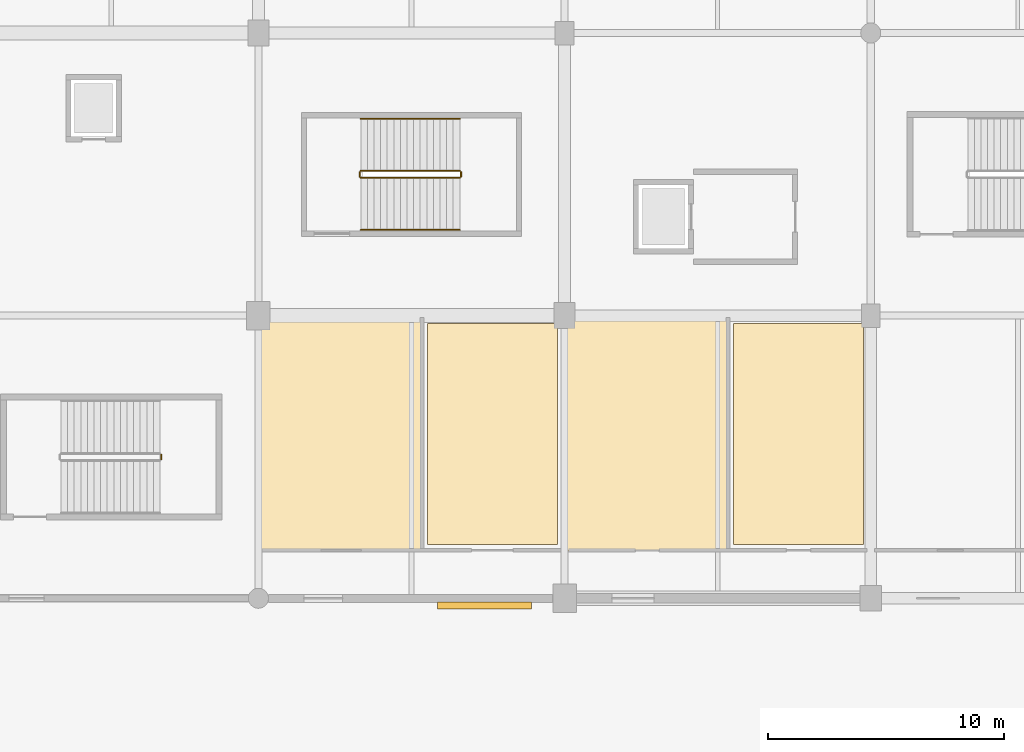
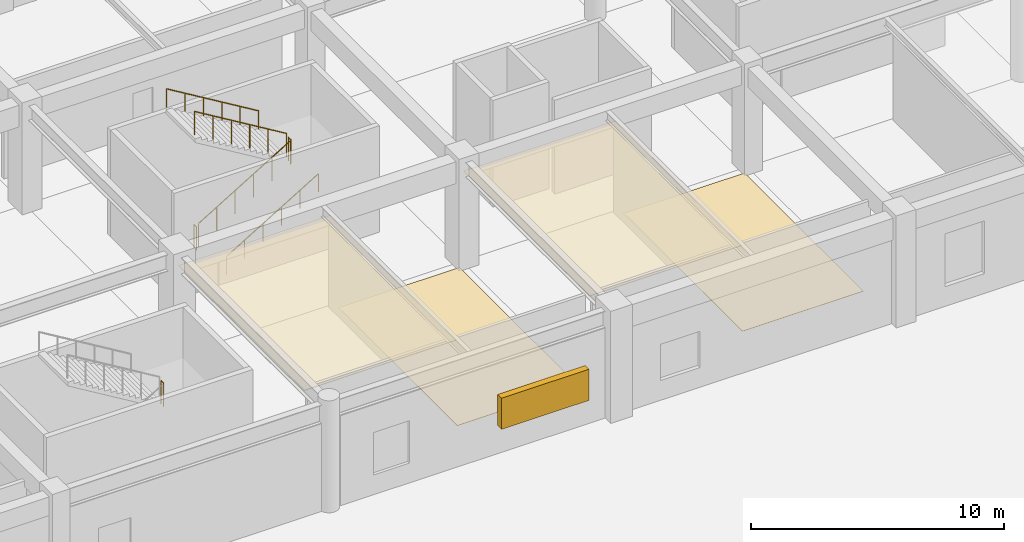
# One storey, part 64 of 69: 7 railings, 4 coverings, 1 shading device.
"""IFC4 building model written with IfcOpenShell, lengths in metres."""

from ifc_helpers import new_model, si_unit, direction, frame, origin, origin_2d, place, context, subcontext, project, spatial, polyline, rectangle, circle, outline, extrude, material, layer, layer_set, type_object, element, save


model = new_model("IFC4")

# Units and contexts
model_context = context("Model", 3, precision=1e-05, world=origin(), true_north=direction((0.0, 1.0)))
body_context = subcontext(model_context, "Body", "Model", "MODEL_VIEW")
ifc_project = project(units=[si_unit("LENGTHUNIT", "METRE"), si_unit("AREAUNIT", "SQUARE_METRE"), si_unit("VOLUMEUNIT", "CUBIC_METRE"), si_unit("PLANEANGLEUNIT", "RADIAN"), si_unit("MASSUNIT", "GRAM", prefix="KILO")], contexts=[model_context])

# Site, building, storey
site_placement = place(None, origin())
site = spatial("IfcSite", under=ifc_project, at=site_placement, CompositionType="ELEMENT")
building_placement = place(site_placement, origin())
building = spatial("IfcBuilding", under=site, at=building_placement, Name="Kazenohara Klinker Stadium", CompositionType="ELEMENT")
storey_placement = place(building_placement, origin())
storey = spatial("IfcBuildingStorey", under=building, at=storey_placement, Name="L00", CompositionType="ELEMENT", Elevation=0.0)

# Coverings
ifc_material_1 = material(Name="Perforated acoustic mineral-fibre ceiling tile", Category="gypsum")
ifc_layer_1 = layer(ifc_material_1, 0.030029296875)
ifc_layer_set_1 = layer_set([ifc_layer_1], Name="Perforated acoustic mineral-fibre ceiling tile")
covering_type_1 = type_object("IfcCoveringType", Name="COV-CEIL-01", PredefinedType="CEILING", material=ifc_layer_set_1)
covering_1_placement = place(storey_placement, frame((0.0, 0.0, 4.35009765625)))
element("IfcCovering", 1, at=covering_1_placement, inside=storey, type_object=covering_type_1, Name="Suspended acoustic ceiling CL01 Supporter Merchandising Retail Shop L00-0811A", PredefinedType="CEILING", context=body_context, shape_type="SweptSolid", body=[
    extrude(outline(polyline([(99.0400390625, 134.010009765625), (105.98388671875, 134.010009765625), (105.98388671875, 143.93994140625), (99.0400390625, 143.93994140625), (99.0400390625, 134.010009765625)])), origin(), (0.0, 0.0, 1.0), 0.02978515625),
])
covering_2_placement = place(storey_placement, frame((0.0, 0.0, 4.35009765625)))
element("IfcCovering", 2, at=covering_2_placement, inside=storey, type_object=covering_type_1, Name="Suspended acoustic ceiling CL01 Spectator First-Aid Medical Clinic L00-0911A", PredefinedType="CEILING", context=body_context, shape_type="SweptSolid", body=[
    extrude(outline(polyline([(112.0400390625, 134.010009765625), (118.98388671875, 134.010009765625), (118.98388671875, 143.93994140625), (112.0400390625, 143.93994140625), (112.0400390625, 134.010009765625)])), origin(), (0.0, 0.0, 1.0), 0.02978515625),
])
ifc_material_2 = material(Name="Cushioned EPDM sports rubber flooring", Category="rubber")
ifc_layer_2 = layer(ifc_material_2, 0.014892578125)
ifc_layer_set_2 = layer_set([ifc_layer_2], Name="Cushioned EPDM sports rubber flooring")
covering_type_2 = type_object("IfcCoveringType", Name="COV-FLR-02", PredefinedType="FLOORING", material=ifc_layer_set_2)
covering_3_placement = place(storey_placement, origin())
element("IfcCovering", 3, at=covering_3_placement, inside=storey, type_object=covering_type_2, Name="Interior floor finish FL02 Concourse Craft Beverage Tavern L00-0811B", PredefinedType="FLOORING", context=body_context, shape_type="SweptSolid", body=[
    extrude(outline(polyline([(106.173828125, 134.280029296875), (111.68994140625, 134.280029296875), (111.68994140625, 143.669921875), (106.173828125, 143.669921875), (106.173828125, 134.280029296875)])), origin(), (0.0, 0.0, 1.0), 0.014892578125),
])
covering_4_placement = place(storey_placement, origin())
element("IfcCovering", 4, at=covering_4_placement, inside=storey, type_object=covering_type_2, Name="Interior floor finish FL02 Winter-Garden Retail Galleria Boutique L00-0911B", PredefinedType="FLOORING", context=body_context, shape_type="SweptSolid", body=[
    extrude(outline(polyline([(119.173828125, 134.280029296875), (124.68994140625, 134.280029296875), (124.68994140625, 143.669921875), (119.173828125, 143.669921875), (119.173828125, 134.280029296875)])), origin(), (0.0, 0.0, 1.0), 0.014892578125),
])

# Railings
ifc_material_3 = material(Name="Brushed stainless steel 304 handrail", Category="steel")
ifc_layer_3 = layer(ifc_material_3, 0.050048828125)
ifc_layer_set_3 = layer_set([ifc_layer_3], Name="Brushed stainless steel 304 handrail")
railing_type_1 = type_object("IfcRailingType", Name="RL-HND-900", PredefinedType="HANDRAIL", material=ifc_layer_set_3)
railing_1_placement = place(storey_placement, frame((103.35009765625, 147.639892578125, 0.168701171875)))
element("IfcRailing", 5, at=railing_1_placement, inside=storey, type_object=railing_type_1, Name="L00 ST10 stair handrail 1", PredefinedType="HANDRAIL", context=body_context, shape_type="SweptSolid", body=[
    extrude(circle(Radius=0.02392578125, at=origin_2d()), frame((0.0, 0.0, 0.8759765625), z_axis=(0.856476492594, 0.0, 0.516186030065), x_axis=(0.0, 1.0, 0.0)), (0.0, 0.0, 1.0), 4.90380859375),
    extrude(circle(Radius=0.02099609375, at=origin_2d()), origin(), (0.0, 0.0, 1.0), 0.851806640625),
    extrude(circle(Radius=0.02099609375, at=origin_2d()), frame((0.840087890625, 0.0, 0.50634765625)), (0.0, 0.0, 1.0), 0.851806640625),
    extrude(circle(Radius=0.02099609375, at=origin_2d()), frame((1.679931640625, 0.0, 1.012451171875)), (0.0, 0.0, 1.0), 0.851806640625),
    extrude(circle(Radius=0.02099609375, at=origin_2d()), frame((2.52001953125, 0.0, 1.518798828125)), (0.0, 0.0, 1.0), 0.851806640625),
    extrude(circle(Radius=0.02099609375, at=origin_2d()), frame((3.35986328125, 0.0, 2.02490234375)), (0.0, 0.0, 1.0), 0.851806640625),
    extrude(circle(Radius=0.02099609375, at=origin_2d()), frame((4.199951171875, 0.0, 2.53125)), (0.0, 0.0, 1.0), 0.851806640625),
])
railing_2_placement = place(storey_placement, frame((107.550048828125, 152.360107421875, 2.86865234375)))
element("IfcRailing", 6, at=railing_2_placement, inside=storey, type_object=railing_type_1, Name="L00 ST10 stair handrail 2", PredefinedType="HANDRAIL", context=body_context, shape_type="SweptSolid", body=[
    extrude(circle(Radius=0.02392578125, at=origin_2d()), frame((0.0, 0.0, 0.8759765625), z_axis=(-0.856476492594, 0.0, 0.516186030065), x_axis=(0.0, -1.0, 0.0)), (0.0, 0.0, 1.0), 4.90380859375),
    extrude(circle(Radius=0.02099609375, at=origin_2d()), origin(), (0.0, 0.0, 1.0), 0.851806640625),
    extrude(circle(Radius=0.02099609375, at=origin_2d()), frame((-0.840087890625, 0.0, 0.50634765625)), (0.0, 0.0, 1.0), 0.851806640625),
    extrude(circle(Radius=0.02099609375, at=origin_2d()), frame((-1.679931640625, 0.0, 1.012451171875)), (0.0, 0.0, 1.0), 0.851806640625),
    extrude(circle(Radius=0.02099609375, at=origin_2d()), frame((-2.52001953125, 0.0, 1.518798828125)), (0.0, 0.0, 1.0), 0.851806640625),
    extrude(circle(Radius=0.02099609375, at=origin_2d()), frame((-3.35986328125, 0.0, 2.02490234375)), (0.0, 0.0, 1.0), 0.851806640625),
    extrude(circle(Radius=0.02099609375, at=origin_2d()), frame((-4.199951171875, 0.0, 2.53125)), (0.0, 0.0, 1.0), 0.851806640625),
])
ifc_material_4 = material(Name="Painted steel stairwell guardrail", Category="steel")
ifc_layer_4 = layer(ifc_material_4, 0.06005859375)
ifc_layer_set_4 = layer_set([ifc_layer_4], Name="Painted steel stairwell guardrail")
railing_type_2 = type_object("IfcRailingType", Name="RL-STG-1120", PredefinedType="GUARDRAIL", material=ifc_layer_set_4)
railing_3_placement = place(storey_placement, frame((103.35009765625, 149.85009765625, 0.168701171875)))
element("IfcRailing", 7, at=railing_3_placement, inside=storey, type_object=railing_type_2, Name="L00 ST10 stair guard 1", PredefinedType="GUARDRAIL", context=body_context, shape_type="SweptSolid", body=[
    extrude(circle(Radius=0.02392578125, at=origin_2d()), frame((0.0, 0.0, 1.1259765625), z_axis=(0.856476492594, 0.0, 0.516186030065), x_axis=(0.0, 1.0, 0.0)), (0.0, 0.0, 1.0), 4.90380859375),
    extrude(circle(Radius=0.02099609375, at=origin_2d()), origin(), (0.0, 0.0, 1.0), 1.101806640625),
    extrude(circle(Radius=0.02099609375, at=origin_2d()), frame((0.840087890625, 0.0, 0.50634765625)), (0.0, 0.0, 1.0), 1.101806640625),
    extrude(circle(Radius=0.02099609375, at=origin_2d()), frame((1.679931640625, 0.0, 1.012451171875)), (0.0, 0.0, 1.0), 1.101806640625),
    extrude(circle(Radius=0.02099609375, at=origin_2d()), frame((2.52001953125, 0.0, 1.518798828125)), (0.0, 0.0, 1.0), 1.101806640625),
    extrude(circle(Radius=0.02099609375, at=origin_2d()), frame((3.35986328125, 0.0, 2.02490234375)), (0.0, 0.0, 1.0), 1.101806640625),
    extrude(circle(Radius=0.02099609375, at=origin_2d()), frame((4.199951171875, 0.0, 2.53125)), (0.0, 0.0, 1.0), 1.101806640625),
])
railing_4_placement = place(storey_placement, frame((107.60009765625, 149.89990234375, 2.699951171875)))
element("IfcRailing", 8, at=railing_4_placement, inside=storey, type_object=railing_type_2, Name="L00 ST10 stair guard 2", PredefinedType="GUARDRAIL", context=body_context, shape_type="SweptSolid", body=[
    extrude(circle(Radius=0.02392578125, at=origin_2d()), frame((0.0, 0.0, 1.1259765625), z_axis=(0.0, 1.0, 0.0), x_axis=(-1.0, 0.0, 0.0)), (0.0, 0.0, 1.0), 0.2001953125),
    extrude(circle(Radius=0.02099609375, at=origin_2d()), origin(), (0.0, 0.0, 1.0), 1.101806640625),
    extrude(circle(Radius=0.02099609375, at=origin_2d()), frame((0.0, 0.2001953125, 0.0)), (0.0, 0.0, 1.0), 1.101806640625),
])
railing_5_placement = place(storey_placement, frame((107.550048828125, 150.14990234375, 2.86865234375)))
element("IfcRailing", 9, at=railing_5_placement, inside=storey, type_object=railing_type_2, Name="L00 ST10 stair guard 3", PredefinedType="GUARDRAIL", context=body_context, shape_type="SweptSolid", body=[
    extrude(circle(Radius=0.02392578125, at=origin_2d()), frame((0.0, 0.0, 1.1259765625), z_axis=(-0.856476492594, 0.0, 0.516186030065), x_axis=(0.0, -1.0, 0.0)), (0.0, 0.0, 1.0), 4.90380859375),
    extrude(circle(Radius=0.02099609375, at=origin_2d()), origin(), (0.0, 0.0, 1.0), 1.101806640625),
    extrude(circle(Radius=0.02099609375, at=origin_2d()), frame((-0.840087890625, 0.0, 0.50634765625)), (0.0, 0.0, 1.0), 1.101806640625),
    extrude(circle(Radius=0.02099609375, at=origin_2d()), frame((-1.679931640625, 0.0, 1.012451171875)), (0.0, 0.0, 1.0), 1.101806640625),
    extrude(circle(Radius=0.02099609375, at=origin_2d()), frame((-2.52001953125, 0.0, 1.518798828125)), (0.0, 0.0, 1.0), 1.101806640625),
    extrude(circle(Radius=0.02099609375, at=origin_2d()), frame((-3.35986328125, 0.0, 2.02490234375)), (0.0, 0.0, 1.0), 1.101806640625),
    extrude(circle(Radius=0.02099609375, at=origin_2d()), frame((-4.199951171875, 0.0, 2.53125)), (0.0, 0.0, 1.0), 1.101806640625),
])
for number, where, name in (
    (10, (103.300048828125, 149.89990234375, 0.0), "L00 ST10 stair guard 4"),
    (11, (94.8701171875, 137.89990234375, 2.699951171875), "L00 ST19 stair guard 2"),
):
    element("IfcRailing", number, at=place(storey_placement, frame(where)), inside=storey, type_object=railing_type_2, Name=name, PredefinedType="GUARDRAIL", context=body_context, shape_type="SweptSolid", body=[
        extrude(circle(Radius=0.02392578125, at=origin_2d()), frame((0.0, 0.0, 1.1259765625), z_axis=(0.0, 1.0, 0.0), x_axis=(-1.0, 0.0, 0.0)), (0.0, 0.0, 1.0), 0.2001953125),
        extrude(circle(Radius=0.02099609375, at=origin_2d()), origin(), (0.0, 0.0, 1.0), 1.101806640625),
        extrude(circle(Radius=0.02099609375, at=origin_2d()), frame((0.0, 0.2001953125, 0.0)), (0.0, 0.0, 1.0), 1.101806640625),
    ])

# Shading device
ifc_material_5 = material(Name="Perforated clinker-brick and bronze louvre grille", Category="masonry")
shading_device_type = type_object("IfcShadingDeviceType", Name="SHD-LOUV-02", PredefinedType="JALOUSIE", material=ifc_material_5)
shading_device_placement = place(storey_placement, frame((108.599853515625, 131.68505859375, 1.35009765625), z_axis=(0.0, 0.0, 1.0), x_axis=(1.0, 0.0, 0.0)))
element("IfcShadingDevice", 12, at=shading_device_placement, inside=storey, type_object=shading_device_type, Name="Perforated clinker-brick louvre screen LV02-04", PredefinedType="JALOUSIE", context=body_context, shape_type="SweptSolid", body=[
    extrude(rectangle(XDim=4.0, YDim=0.300048828125, at=origin_2d()), origin(), (0.0, 0.0, 1.0), 1.5),
])

save(model, "model.ifc")
